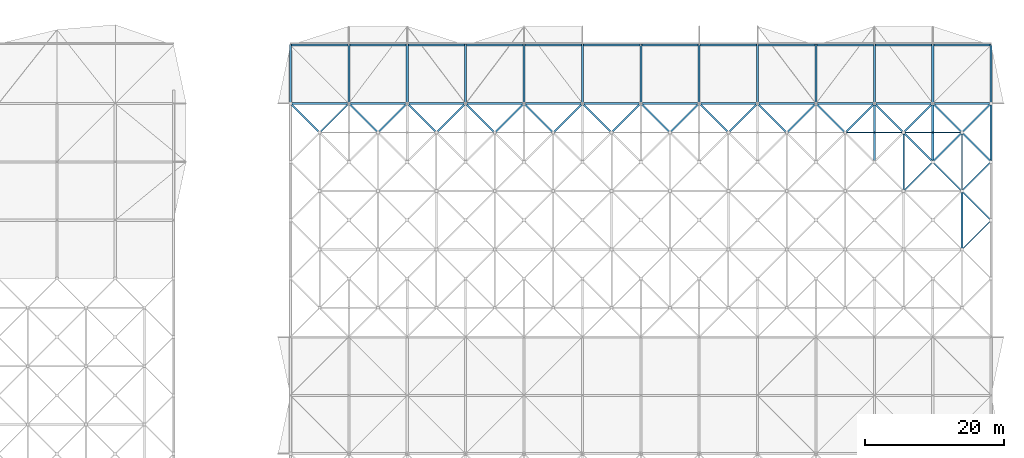
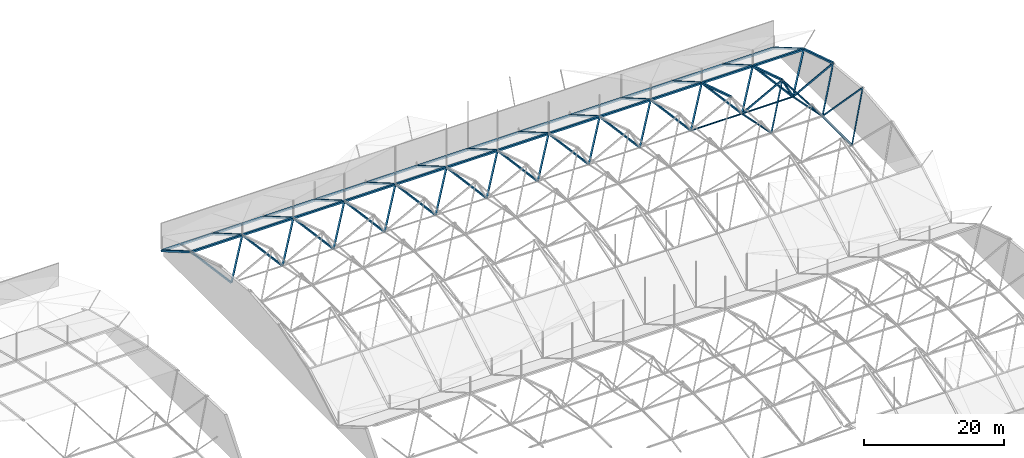
# One storey, part 16 of 111: 77 members.
"""IFC4 building model written with IfcOpenShell, lengths in metres."""

from ifc_helpers import new_model, si_unit, direction, frame, origin, origin_2d, place, context, subcontext, project, spatial, hollow_rectangle, extrude, material, material_profile, profile_set, type_object, element, save


model = new_model("IFC4")

# Units and contexts
model_context = context("Model", 3, precision=1e-05, world=origin(), true_north=direction((0.0, 1.0)))
body_context = subcontext(model_context, "Body", "Model", "MODEL_VIEW")
ifc_project = project(units=[si_unit("LENGTHUNIT", "METRE"), si_unit("AREAUNIT", "SQUARE_METRE"), si_unit("VOLUMEUNIT", "CUBIC_METRE"), si_unit("PLANEANGLEUNIT", "RADIAN"), si_unit("MASSUNIT", "GRAM", prefix="KILO")], contexts=[model_context])

# Site, building, storey
site_placement = place(None, origin())
site = spatial("IfcSite", under=ifc_project, at=site_placement, CompositionType="ELEMENT")
building_placement = place(site_placement, origin())
building = spatial("IfcBuilding", under=site, at=building_placement, Name="Rain Tree Exposition and Congress Centre", CompositionType="ELEMENT")
storey_placement = place(building_placement, frame((0.0, 0.0, 19.5)))
storey = spatial("IfcBuildingStorey", under=building, at=storey_placement, Name="RF", CompositionType="ELEMENT", Elevation=19.5)

# Members
ifc_material_1 = material(Name="Steel S355J2H", Category="steel")
ifc_material_profile_1 = material_profile(ifc_material_1, hollow_rectangle(XDim=0.175048828125, YDim=0.175048828125, WallThickness=0.006103515625, at=origin_2d()), Name="RHS 175x175x6")
ifc_profile_set_1 = profile_set([ifc_material_profile_1], Name="Steel S355J2H")
member_type_1 = type_object("IfcMemberType", Name="Steel brace member RHS 175x175x6", PredefinedType="BRACE", material=ifc_profile_set_1)
member_1_placement = place(storey_placement, frame((239.39990234375, 172.199951171875, 2.68896484375), z_axis=(0.494938039954, 0.494909271177, 0.714213658445), x_axis=(-0.70708622964, 0.707127332136, 0.0)))
element("IfcMember", 1, at=member_1_placement, inside=storey, type_object=member_type_1, Name="Diagonal 950", PredefinedType="BRACE", context=body_context, shape_type="SweptSolid", body=[
    extrude(hollow_rectangle(XDim=0.175048828125, YDim=0.175048828125, WallThickness=0.006103515625, at=origin_2d()), origin(), (0.0, 0.0, 1.0), 8.486328125),
])
ifc_material_2 = material(Name="Steel S355J2H", Category="steel")
ifc_material_profile_2 = material_profile(ifc_material_2, hollow_rectangle(XDim=0.199951171875, YDim=0.199951171875, WallThickness=0.009033203125, at=origin_2d()), Name="RHS 200x200x9")
ifc_profile_set_2 = profile_set([ifc_material_profile_2], Name="Steel S355J2H")
member_type_2 = type_object("IfcMemberType", Name="Steel brace member RHS 200x200x9", PredefinedType="BRACE", material=ifc_profile_set_2)
member_2_placement = place(storey_placement, frame((231.0, 180.60009765625, 2.68896484375), z_axis=(0.531497919506, 0.531497919506, 0.65956040142), x_axis=(-0.707106781187, 0.707106781187, 0.0)))
element("IfcMember", 2, at=member_2_placement, inside=storey, type_object=member_type_2, Name="Diagonal 1015", PredefinedType="BRACE", context=body_context, shape_type="SweptSolid", body=[
    extrude(hollow_rectangle(XDim=0.199951171875, YDim=0.199951171875, WallThickness=0.009033203125, at=origin_2d()), origin(), (0.0, 0.0, 1.0), 7.902099609375),
])
member_3_placement = place(storey_placement, frame((239.39990234375, 180.60009765625, 2.68896484375), z_axis=(0.494930993004, -0.494930993004, 0.71420348944), x_axis=(0.707106781187, 0.707106781187, 0.0)))
element("IfcMember", 3, at=member_3_placement, inside=storey, type_object=member_type_2, Name="Diagonal 1019", PredefinedType="BRACE", context=body_context, shape_type="SweptSolid", body=[
    extrude(hollow_rectangle(XDim=0.199951171875, YDim=0.199951171875, WallThickness=0.009033203125, at=origin_2d()), origin(), (0.0, 0.0, 1.0), 8.486328125),
])
member_4_placement = place(storey_placement, frame((239.39990234375, 180.60009765625, 2.68896484375), z_axis=(-0.531497919506, 0.531497919506, 0.65956040142), x_axis=(-0.707106781187, -0.707106781187, 0.0)))
element("IfcMember", 4, at=member_4_placement, inside=storey, type_object=member_type_2, Name="Diagonal 1020", PredefinedType="BRACE", context=body_context, shape_type="SweptSolid", body=[
    extrude(hollow_rectangle(XDim=0.199951171875, YDim=0.199951171875, WallThickness=0.009033203125, at=origin_2d()), origin(), (0.0, 0.0, 1.0), 7.902099609375),
])
member_5_placement = place(storey_placement, frame((239.39990234375, 180.60009765625, 2.68896484375), z_axis=(0.531520086899, 0.531489191753, 0.659549570747), x_axis=(-0.70708622964, 0.707127332136, 0.0)))
element("IfcMember", 5, at=member_5_placement, inside=storey, type_object=member_type_2, Name="Diagonal 1021", PredefinedType="BRACE", context=body_context, shape_type="SweptSolid", body=[
    extrude(hollow_rectangle(XDim=0.199951171875, YDim=0.199951171875, WallThickness=0.009033203125, at=origin_2d()), origin(), (0.0, 0.0, 1.0), 7.90234375),
])
ifc_material_3 = material(Name="Steel S355J2H", Category="steel")
ifc_material_profile_3 = material_profile(ifc_material_3, hollow_rectangle(XDim=0.25, YDim=0.25, WallThickness=0.006103515625, at=origin_2d()), Name="RHS 250x250x6")
ifc_profile_set_3 = profile_set([ifc_material_profile_3], Name="Steel S355J2H")
member_type_3 = type_object("IfcMemberType", Name="Steel brace member RHS 250x250x6", PredefinedType="BRACE", material=ifc_profile_set_3)
for number, where, z_axis, x_axis, name in (
    (6, (147.0, 189.0, 0.965087890625), (-0.573737145755, 0.573737145755, 0.584509516742), (-0.707106781187, -0.707106781187, 0.0), "Diagonal 1025"),
    (7, (147.0, 189.0, 0.965087890625), (0.573737145755, 0.573737145755, 0.584509516742), (-0.707106781187, 0.707106781187, 0.0), "Diagonal 1026"),
    (8, (155.39990234375, 189.0, 0.965087890625), (-0.573737145755, 0.573737145755, 0.584509516742), (-0.707106781187, -0.707106781187, 0.0), "Diagonal 1031"),
):
    element("IfcMember", number, at=place(storey_placement, frame(where, z_axis=z_axis, x_axis=x_axis)), inside=storey, type_object=member_type_3, Name=name, PredefinedType="BRACE", context=body_context, shape_type="SweptSolid", body=[
        extrude(hollow_rectangle(XDim=0.25, YDim=0.25, WallThickness=0.006103515625, at=origin_2d()), origin(), (0.0, 0.0, 1.0), 7.3203125),
    ])
member_6_placement = place(storey_placement, frame((155.39990234375, 189.0, 0.965087890625), z_axis=(0.573759517816, 0.573726167461, 0.584498332321), x_axis=(-0.70708622964, 0.707127332136, 0.0)))
element("IfcMember", 9, at=member_6_placement, inside=storey, type_object=member_type_3, Name="Diagonal 1032", PredefinedType="BRACE", context=body_context, shape_type="SweptSolid", body=[
    extrude(hollow_rectangle(XDim=0.25, YDim=0.25, WallThickness=0.006103515625, at=origin_2d()), origin(), (0.0, 0.0, 1.0), 7.320556640625),
])
for number, where, z_axis, x_axis, name in (
    (10, (163.800048828125, 189.0, 0.965087890625), (-0.573737145755, 0.573737145755, 0.584509516742), (-0.707106781187, -0.707106781187, 0.0), "Diagonal 1037"),
    (11, (163.800048828125, 189.0, 0.965087890625), (0.573737145755, 0.573737145755, 0.584509516742), (-0.707106781187, 0.707106781187, 0.0), "Diagonal 1038"),
    (12, (172.199951171875, 189.0, 0.965087890625), (-0.573737145755, 0.573737145755, 0.584509516742), (-0.707106781187, -0.707106781187, 0.0), "Diagonal 1043"),
    (13, (172.199951171875, 189.0, 0.965087890625), (0.573737145755, 0.573737145755, 0.584509516742), (-0.707106781187, 0.707106781187, 0.0), "Diagonal 1044"),
):
    element("IfcMember", number, at=place(storey_placement, frame(where, z_axis=z_axis, x_axis=x_axis)), inside=storey, type_object=member_type_3, Name=name, PredefinedType="BRACE", context=body_context, shape_type="SweptSolid", body=[
        extrude(hollow_rectangle(XDim=0.25, YDim=0.25, WallThickness=0.006103515625, at=origin_2d()), origin(), (0.0, 0.0, 1.0), 7.3203125),
    ])
member_7_placement = place(storey_placement, frame((180.60009765625, 189.0, 0.965087890625), z_axis=(-0.573759517816, 0.573726167461, 0.584498332321), x_axis=(-0.70708622964, -0.707127332136, 0.0)))
element("IfcMember", 14, at=member_7_placement, inside=storey, type_object=member_type_3, Name="Diagonal 1049", PredefinedType="BRACE", context=body_context, shape_type="SweptSolid", body=[
    extrude(hollow_rectangle(XDim=0.25, YDim=0.25, WallThickness=0.006103515625, at=origin_2d()), origin(), (0.0, 0.0, 1.0), 7.320556640625),
])
for number, where, z_axis, x_axis, name in (
    (15, (180.60009765625, 189.0, 0.965087890625), (0.573737145755, 0.573737145755, 0.584509516742), (-0.707106781187, 0.707106781187, 0.0), "Diagonal 1050"),
    (16, (189.0, 189.0, 0.965087890625), (-0.573737145755, 0.573737145755, 0.584509516742), (-0.707106781187, -0.707106781187, 0.0), "Diagonal 1055"),
    (17, (189.0, 189.0, 0.965087890625), (0.573737145755, 0.573737145755, 0.584509516742), (-0.707106781187, 0.707106781187, 0.0), "Diagonal 1056"),
    (18, (197.39990234375, 189.0, 0.965087890625), (-0.573737145755, 0.573737145755, 0.584509516742), (-0.707106781187, -0.707106781187, 0.0), "Diagonal 1061"),
):
    element("IfcMember", number, at=place(storey_placement, frame(where, z_axis=z_axis, x_axis=x_axis)), inside=storey, type_object=member_type_3, Name=name, PredefinedType="BRACE", context=body_context, shape_type="SweptSolid", body=[
        extrude(hollow_rectangle(XDim=0.25, YDim=0.25, WallThickness=0.006103515625, at=origin_2d()), origin(), (0.0, 0.0, 1.0), 7.3203125),
    ])
member_8_placement = place(storey_placement, frame((197.39990234375, 189.0, 0.965087890625), z_axis=(0.573759517816, 0.573726167461, 0.584498332321), x_axis=(-0.70708622964, 0.707127332136, 0.0)))
element("IfcMember", 19, at=member_8_placement, inside=storey, type_object=member_type_3, Name="Diagonal 1062", PredefinedType="BRACE", context=body_context, shape_type="SweptSolid", body=[
    extrude(hollow_rectangle(XDim=0.25, YDim=0.25, WallThickness=0.006103515625, at=origin_2d()), origin(), (0.0, 0.0, 1.0), 7.320556640625),
])
for number, where, z_axis, x_axis, name in (
    (20, (205.800048828125, 189.0, 0.965087890625), (-0.573737145755, 0.573737145755, 0.584509516742), (-0.707106781187, -0.707106781187, 0.0), "Diagonal 1067"),
    (21, (205.800048828125, 189.0, 0.965087890625), (0.573737145755, 0.573737145755, 0.584509516742), (-0.707106781187, 0.707106781187, 0.0), "Diagonal 1068"),
    (22, (214.199951171875, 189.0, 0.965087890625), (-0.573737145755, 0.573737145755, 0.584509516742), (-0.707106781187, -0.707106781187, 0.0), "Diagonal 1073"),
    (23, (214.199951171875, 189.0, 0.965087890625), (0.573737145755, 0.573737145755, 0.584509516742), (-0.707106781187, 0.707106781187, 0.0), "Diagonal 1074"),
):
    element("IfcMember", number, at=place(storey_placement, frame(where, z_axis=z_axis, x_axis=x_axis)), inside=storey, type_object=member_type_3, Name=name, PredefinedType="BRACE", context=body_context, shape_type="SweptSolid", body=[
        extrude(hollow_rectangle(XDim=0.25, YDim=0.25, WallThickness=0.006103515625, at=origin_2d()), origin(), (0.0, 0.0, 1.0), 7.3203125),
    ])
member_9_placement = place(storey_placement, frame((222.60009765625, 189.0, 0.965087890625), z_axis=(-0.573759517816, 0.573726167461, 0.584498332321), x_axis=(-0.70708622964, -0.707127332136, 0.0)))
element("IfcMember", 24, at=member_9_placement, inside=storey, type_object=member_type_3, Name="Diagonal 1079", PredefinedType="BRACE", context=body_context, shape_type="SweptSolid", body=[
    extrude(hollow_rectangle(XDim=0.25, YDim=0.25, WallThickness=0.006103515625, at=origin_2d()), origin(), (0.0, 0.0, 1.0), 7.320556640625),
])
member_10_placement = place(storey_placement, frame((222.60009765625, 189.0, 0.965087890625), z_axis=(0.573737145755, 0.573737145755, 0.584509516742), x_axis=(-0.707106781187, 0.707106781187, 0.0)))
element("IfcMember", 25, at=member_10_placement, inside=storey, type_object=member_type_3, Name="Diagonal 1080", PredefinedType="BRACE", context=body_context, shape_type="SweptSolid", body=[
    extrude(hollow_rectangle(XDim=0.25, YDim=0.25, WallThickness=0.006103515625, at=origin_2d()), origin(), (0.0, 0.0, 1.0), 7.3203125),
])
member_11_placement = place(storey_placement, frame((231.0, 189.0, 0.965087890625), z_axis=(0.459940759453, -0.459940759453, 0.759545255787), x_axis=(0.707106781187, 0.707106781187, 0.0)))
element("IfcMember", 26, at=member_11_placement, inside=storey, type_object=member_type_3, Name="Diagonal 1084", PredefinedType="BRACE", context=body_context, shape_type="SweptSolid", body=[
    extrude(hollow_rectangle(XDim=0.25, YDim=0.25, WallThickness=0.006103515625, at=origin_2d()), origin(), (0.0, 0.0, 1.0), 9.131591796875),
])
for number, where, z_axis, x_axis, name in (
    (27, (231.0, 189.0, 0.965087890625), (-0.573737145755, 0.573737145755, 0.584509516742), (-0.707106781187, -0.707106781187, 0.0), "Diagonal 1085"),
    (28, (231.0, 189.0, 0.965087890625), (0.573737145755, 0.573737145755, 0.584509516742), (-0.707106781187, 0.707106781187, 0.0), "Diagonal 1086"),
):
    element("IfcMember", number, at=place(storey_placement, frame(where, z_axis=z_axis, x_axis=x_axis)), inside=storey, type_object=member_type_3, Name=name, PredefinedType="BRACE", context=body_context, shape_type="SweptSolid", body=[
        extrude(hollow_rectangle(XDim=0.25, YDim=0.25, WallThickness=0.006103515625, at=origin_2d()), origin(), (0.0, 0.0, 1.0), 7.3203125),
    ])
for number, where, z_axis, x_axis, name in (
    (29, (239.39990234375, 189.0, 0.965087890625), (-0.459940759453, -0.459940759453, 0.759545255787), (0.707106781187, -0.707106781187, 0.0), "Diagonal 1089"),
    (30, (239.39990234375, 189.0, 0.965087890625), (0.459961839245, -0.459935103496, 0.75953591555), (0.70708622964, 0.707127332136, 0.0), "Diagonal 1090"),
):
    element("IfcMember", number, at=place(storey_placement, frame(where, z_axis=z_axis, x_axis=x_axis)), inside=storey, type_object=member_type_3, Name=name, PredefinedType="BRACE", context=body_context, shape_type="SweptSolid", body=[
        extrude(hollow_rectangle(XDim=0.25, YDim=0.25, WallThickness=0.006103515625, at=origin_2d()), origin(), (0.0, 0.0, 1.0), 9.131591796875),
    ])
member_12_placement = place(storey_placement, frame((239.39990234375, 189.0, 0.965087890625), z_axis=(-0.573737145755, 0.573737145755, 0.584509516742), x_axis=(-0.707106781187, -0.707106781187, 0.0)))
element("IfcMember", 31, at=member_12_placement, inside=storey, type_object=member_type_3, Name="Diagonal 1091", PredefinedType="BRACE", context=body_context, shape_type="SweptSolid", body=[
    extrude(hollow_rectangle(XDim=0.25, YDim=0.25, WallThickness=0.006103515625, at=origin_2d()), origin(), (0.0, 0.0, 1.0), 7.3203125),
])
member_13_placement = place(storey_placement, frame((239.39990234375, 189.0, 0.965087890625), z_axis=(0.573759517816, 0.573726167461, 0.584498332321), x_axis=(-0.70708622964, 0.707127332136, 0.0)))
element("IfcMember", 32, at=member_13_placement, inside=storey, type_object=member_type_3, Name="Diagonal 1092", PredefinedType="BRACE", context=body_context, shape_type="SweptSolid", body=[
    extrude(hollow_rectangle(XDim=0.25, YDim=0.25, WallThickness=0.006103515625, at=origin_2d()), origin(), (0.0, 0.0, 1.0), 7.320556640625),
])
ifc_material_4 = material(Name="Steel S355J2H", Category="steel")
ifc_material_profile_4 = material_profile(ifc_material_4, hollow_rectangle(XDim=0.175048828125, YDim=0.175048828125, WallThickness=0.006103515625, at=origin_2d()), Name="RHS 175x175x6")
ifc_profile_set_4 = profile_set([ifc_material_profile_4], Name="Steel S355J2H")
member_type_4 = type_object("IfcMemberType", Name="Steel chord member RHS 175x175x6", PredefinedType="CHORD", material=ifc_profile_set_4)
for number, where, z_axis, x_axis, name in (
    (33, (222.60009765625, 189.0, 0.965087890625), (1.0, 0.0, 0.0), (0.0, 1.0, 0.0), "Bottom chord 1081"),
    (34, (231.0, 189.0, 0.965087890625), (1.0, 0.0, 0.0), (0.0, 1.0, 0.0), "Bottom chord 1087"),
):
    element("IfcMember", number, at=place(storey_placement, frame(where, z_axis=z_axis, x_axis=x_axis)), inside=storey, type_object=member_type_4, Name=name, PredefinedType="CHORD", context=body_context, shape_type="SweptSolid", body=[
        extrude(hollow_rectangle(XDim=0.175048828125, YDim=0.175048828125, WallThickness=0.006103515625, at=origin_2d()), origin(), (0.0, 0.0, 1.0), 8.39990234375),
    ])
ifc_material_5 = material(Name="Steel S355J2H", Category="steel")
ifc_material_profile_5 = material_profile(ifc_material_5, hollow_rectangle(XDim=0.199951171875, YDim=0.199951171875, WallThickness=0.009033203125, at=origin_2d()), Name="RHS 200x200x9")
ifc_profile_set_5 = profile_set([ifc_material_profile_5], Name="Steel S355J2H")
member_type_5 = type_object("IfcMemberType", Name="Steel chord member RHS 200x200x9", PredefinedType="CHORD", material=ifc_profile_set_5)
for number, where, z_axis, x_axis, name in (
    (35, (231.0, 180.60009765625, 2.68896484375), (0.0, 0.979583871149, -0.20103591566), (-1.0, 0.0, 0.0), "Bottom chord 1017"),
    (36, (239.39990234375, 180.60009765625, 2.68896484375), (0.0, 0.979583871149, -0.20103591566), (-1.0, 0.0, 0.0), "Bottom chord 1022"),
):
    element("IfcMember", number, at=place(storey_placement, frame(where, z_axis=z_axis, x_axis=x_axis)), inside=storey, type_object=member_type_5, Name=name, PredefinedType="CHORD", context=body_context, shape_type="SweptSolid", body=[
        extrude(hollow_rectangle(XDim=0.199951171875, YDim=0.199951171875, WallThickness=0.009033203125, at=origin_2d()), origin(), (0.0, 0.0, 1.0), 8.574951171875),
    ])
ifc_material_6 = material(Name="Steel S355J2H", Category="steel")
ifc_material_profile_6 = material_profile(ifc_material_6, hollow_rectangle(XDim=0.25, YDim=0.25, WallThickness=0.006103515625, at=origin_2d()), Name="RHS 250x250x6")
ifc_profile_set_6 = profile_set([ifc_material_profile_6], Name="Steel S355J2H")
member_type_6 = type_object("IfcMemberType", Name="Steel chord member RHS 250x250x6", PredefinedType="CHORD", material=ifc_profile_set_6)
member_14_placement = place(storey_placement, frame((239.39990234375, 172.199951171875, 2.68896484375), z_axis=(0.0, 1.0, 0.0), x_axis=(-1.0, 0.0, 0.0)))
element("IfcMember", 37, at=member_14_placement, inside=storey, type_object=member_type_6, Name="Bottom chord 951", PredefinedType="CHORD", context=body_context, shape_type="SweptSolid", body=[
    extrude(hollow_rectangle(XDim=0.25, YDim=0.25, WallThickness=0.006103515625, at=origin_2d()), origin(), (0.0, 0.0, 1.0), 8.400146484375),
])
ifc_material_7 = material(Name="Steel S355J2H", Category="steel")
ifc_material_profile_7 = material_profile(ifc_material_7, hollow_rectangle(XDim=0.300048828125, YDim=0.300048828125, WallThickness=0.009033203125, at=origin_2d()), Name="RHS 300x300x9")
ifc_profile_set_7 = profile_set([ifc_material_profile_7], Name="Steel S355J2H")
member_type_7 = type_object("IfcMemberType", Name="Steel chord member RHS 300x300x9", PredefinedType="CHORD", material=ifc_profile_set_7)
member_15_placement = place(storey_placement, frame((142.800048828125, 193.199951171875, 5.243896484375), z_axis=(1.0, 0.0, 0.0), x_axis=(0.0, 1.0, 0.0)))
element("IfcMember", 38, at=member_15_placement, inside=storey, type_object=member_type_7, Name="Top chord 133", PredefinedType="CHORD", context=body_context, shape_type="SweptSolid", body=[
    extrude(hollow_rectangle(XDim=0.300048828125, YDim=0.300048828125, WallThickness=0.009033203125, at=origin_2d()), origin(), (0.0, 0.0, 1.0), 8.39990234375),
])
member_16_placement = place(storey_placement, frame((151.199951171875, 193.199951171875, 5.243896484375), z_axis=(1.0, 0.0, 0.0), x_axis=(0.0, 1.0, 0.0)))
element("IfcMember", 39, at=member_16_placement, inside=storey, type_object=member_type_7, Name="Top chord 134", PredefinedType="CHORD", context=body_context, shape_type="SweptSolid", body=[
    extrude(hollow_rectangle(XDim=0.300048828125, YDim=0.300048828125, WallThickness=0.009033203125, at=origin_2d()), origin(), (0.0, 0.0, 1.0), 8.400146484375),
])
for number, where, z_axis, x_axis, name in (
    (40, (159.60009765625, 193.199951171875, 5.243896484375), (1.0, 0.0, 0.0), (0.0, 1.0, 0.0), "Top chord 135"),
    (41, (168.0, 193.199951171875, 5.243896484375), (1.0, 0.0, 0.0), (0.0, 1.0, 0.0), "Top chord 136"),
):
    element("IfcMember", number, at=place(storey_placement, frame(where, z_axis=z_axis, x_axis=x_axis)), inside=storey, type_object=member_type_7, Name=name, PredefinedType="CHORD", context=body_context, shape_type="SweptSolid", body=[
        extrude(hollow_rectangle(XDim=0.300048828125, YDim=0.300048828125, WallThickness=0.009033203125, at=origin_2d()), origin(), (0.0, 0.0, 1.0), 8.39990234375),
    ])
member_17_placement = place(storey_placement, frame((176.39990234375, 193.199951171875, 5.243896484375), z_axis=(1.0, 0.0, 0.0), x_axis=(0.0, 1.0, 0.0)))
element("IfcMember", 42, at=member_17_placement, inside=storey, type_object=member_type_7, Name="Top chord 137", PredefinedType="CHORD", context=body_context, shape_type="SweptSolid", body=[
    extrude(hollow_rectangle(XDim=0.300048828125, YDim=0.300048828125, WallThickness=0.009033203125, at=origin_2d()), origin(), (0.0, 0.0, 1.0), 8.400146484375),
])
member_18_placement = place(storey_placement, frame((184.800048828125, 193.199951171875, 5.243896484375), z_axis=(1.0, 0.0, 0.0), x_axis=(0.0, 1.0, 0.0)))
element("IfcMember", 43, at=member_18_placement, inside=storey, type_object=member_type_7, Name="Top chord 138", PredefinedType="CHORD", context=body_context, shape_type="SweptSolid", body=[
    extrude(hollow_rectangle(XDim=0.300048828125, YDim=0.300048828125, WallThickness=0.009033203125, at=origin_2d()), origin(), (0.0, 0.0, 1.0), 8.39990234375),
])
member_19_placement = place(storey_placement, frame((193.199951171875, 193.199951171875, 5.243896484375), z_axis=(1.0, 0.0, 0.0), x_axis=(0.0, 1.0, 0.0)))
element("IfcMember", 44, at=member_19_placement, inside=storey, type_object=member_type_7, Name="Top chord 139", PredefinedType="CHORD", context=body_context, shape_type="SweptSolid", body=[
    extrude(hollow_rectangle(XDim=0.300048828125, YDim=0.300048828125, WallThickness=0.009033203125, at=origin_2d()), origin(), (0.0, 0.0, 1.0), 8.400146484375),
])
for number, where, z_axis, x_axis, name in (
    (45, (201.60009765625, 193.199951171875, 5.243896484375), (1.0, 0.0, 0.0), (0.0, 1.0, 0.0), "Top chord 140"),
    (46, (210.0, 193.199951171875, 5.243896484375), (1.0, 0.0, 0.0), (0.0, 1.0, 0.0), "Top chord 141"),
):
    element("IfcMember", number, at=place(storey_placement, frame(where, z_axis=z_axis, x_axis=x_axis)), inside=storey, type_object=member_type_7, Name=name, PredefinedType="CHORD", context=body_context, shape_type="SweptSolid", body=[
        extrude(hollow_rectangle(XDim=0.300048828125, YDim=0.300048828125, WallThickness=0.009033203125, at=origin_2d()), origin(), (0.0, 0.0, 1.0), 8.39990234375),
    ])
member_20_placement = place(storey_placement, frame((218.39990234375, 193.199951171875, 5.243896484375), z_axis=(1.0, 0.0, 0.0), x_axis=(0.0, 1.0, 0.0)))
element("IfcMember", 47, at=member_20_placement, inside=storey, type_object=member_type_7, Name="Top chord 142", PredefinedType="CHORD", context=body_context, shape_type="SweptSolid", body=[
    extrude(hollow_rectangle(XDim=0.300048828125, YDim=0.300048828125, WallThickness=0.009033203125, at=origin_2d()), origin(), (0.0, 0.0, 1.0), 8.400146484375),
])
member_21_placement = place(storey_placement, frame((226.800048828125, 193.199951171875, 5.243896484375), z_axis=(1.0, 0.0, 0.0), x_axis=(0.0, 1.0, 0.0)))
element("IfcMember", 48, at=member_21_placement, inside=storey, type_object=member_type_7, Name="Top chord 143", PredefinedType="CHORD", context=body_context, shape_type="SweptSolid", body=[
    extrude(hollow_rectangle(XDim=0.300048828125, YDim=0.300048828125, WallThickness=0.009033203125, at=origin_2d()), origin(), (0.0, 0.0, 1.0), 8.39990234375),
])
member_22_placement = place(storey_placement, frame((235.199951171875, 193.199951171875, 5.243896484375), z_axis=(1.0, 0.0, 0.0), x_axis=(0.0, 1.0, 0.0)))
element("IfcMember", 49, at=member_22_placement, inside=storey, type_object=member_type_7, Name="Top chord 144", PredefinedType="CHORD", context=body_context, shape_type="SweptSolid", body=[
    extrude(hollow_rectangle(XDim=0.300048828125, YDim=0.300048828125, WallThickness=0.009033203125, at=origin_2d()), origin(), (0.0, 0.0, 1.0), 8.400146484375),
])
member_23_placement = place(storey_placement, frame((142.800048828125, 201.60009765625, 0.35009765625), z_axis=(1.0, 0.0, 0.0), x_axis=(0.0, 1.0, 0.0)))
element("IfcMember", 50, at=member_23_placement, inside=storey, type_object=member_type_7, Name="Top chord 145", PredefinedType="CHORD", context=body_context, shape_type="SweptSolid", body=[
    extrude(hollow_rectangle(XDim=0.300048828125, YDim=0.300048828125, WallThickness=0.009033203125, at=origin_2d()), origin(), (0.0, 0.0, 1.0), 8.39990234375),
])
member_24_placement = place(storey_placement, frame((151.199951171875, 201.60009765625, 0.35009765625), z_axis=(1.0, 0.0, 0.0), x_axis=(0.0, 1.0, 0.0)))
element("IfcMember", 51, at=member_24_placement, inside=storey, type_object=member_type_7, Name="Top chord 146", PredefinedType="CHORD", context=body_context, shape_type="SweptSolid", body=[
    extrude(hollow_rectangle(XDim=0.300048828125, YDim=0.300048828125, WallThickness=0.009033203125, at=origin_2d()), origin(), (0.0, 0.0, 1.0), 8.400146484375),
])
for number, where, z_axis, x_axis, name in (
    (52, (159.60009765625, 201.60009765625, 0.35009765625), (1.0, 0.0, 0.0), (0.0, 1.0, 0.0), "Top chord 147"),
    (53, (168.0, 201.60009765625, 0.35009765625), (1.0, 0.0, 0.0), (0.0, 1.0, 0.0), "Top chord 148"),
):
    element("IfcMember", number, at=place(storey_placement, frame(where, z_axis=z_axis, x_axis=x_axis)), inside=storey, type_object=member_type_7, Name=name, PredefinedType="CHORD", context=body_context, shape_type="SweptSolid", body=[
        extrude(hollow_rectangle(XDim=0.300048828125, YDim=0.300048828125, WallThickness=0.009033203125, at=origin_2d()), origin(), (0.0, 0.0, 1.0), 8.39990234375),
    ])
member_25_placement = place(storey_placement, frame((176.39990234375, 201.60009765625, 0.35009765625), z_axis=(1.0, 0.0, 0.0), x_axis=(0.0, 1.0, 0.0)))
element("IfcMember", 54, at=member_25_placement, inside=storey, type_object=member_type_7, Name="Top chord 149", PredefinedType="CHORD", context=body_context, shape_type="SweptSolid", body=[
    extrude(hollow_rectangle(XDim=0.300048828125, YDim=0.300048828125, WallThickness=0.009033203125, at=origin_2d()), origin(), (0.0, 0.0, 1.0), 8.400146484375),
])
member_26_placement = place(storey_placement, frame((184.800048828125, 201.60009765625, 0.35009765625), z_axis=(1.0, 0.0, 0.0), x_axis=(0.0, 1.0, 0.0)))
element("IfcMember", 55, at=member_26_placement, inside=storey, type_object=member_type_7, Name="Top chord 150", PredefinedType="CHORD", context=body_context, shape_type="SweptSolid", body=[
    extrude(hollow_rectangle(XDim=0.300048828125, YDim=0.300048828125, WallThickness=0.009033203125, at=origin_2d()), origin(), (0.0, 0.0, 1.0), 8.39990234375),
])
member_27_placement = place(storey_placement, frame((193.199951171875, 201.60009765625, 0.35009765625), z_axis=(1.0, 0.0, 0.0), x_axis=(0.0, 1.0, 0.0)))
element("IfcMember", 56, at=member_27_placement, inside=storey, type_object=member_type_7, Name="Top chord 151", PredefinedType="CHORD", context=body_context, shape_type="SweptSolid", body=[
    extrude(hollow_rectangle(XDim=0.300048828125, YDim=0.300048828125, WallThickness=0.009033203125, at=origin_2d()), origin(), (0.0, 0.0, 1.0), 8.400146484375),
])
for number, where, z_axis, x_axis, name in (
    (57, (201.60009765625, 201.60009765625, 0.35009765625), (1.0, 0.0, 0.0), (0.0, 1.0, 0.0), "Top chord 152"),
    (58, (210.0, 201.60009765625, 0.35009765625), (1.0, 0.0, 0.0), (0.0, 1.0, 0.0), "Top chord 153"),
):
    element("IfcMember", number, at=place(storey_placement, frame(where, z_axis=z_axis, x_axis=x_axis)), inside=storey, type_object=member_type_7, Name=name, PredefinedType="CHORD", context=body_context, shape_type="SweptSolid", body=[
        extrude(hollow_rectangle(XDim=0.300048828125, YDim=0.300048828125, WallThickness=0.009033203125, at=origin_2d()), origin(), (0.0, 0.0, 1.0), 8.39990234375),
    ])
member_28_placement = place(storey_placement, frame((218.39990234375, 201.60009765625, 0.35009765625), z_axis=(1.0, 0.0, 0.0), x_axis=(0.0, 1.0, 0.0)))
element("IfcMember", 59, at=member_28_placement, inside=storey, type_object=member_type_7, Name="Top chord 154", PredefinedType="CHORD", context=body_context, shape_type="SweptSolid", body=[
    extrude(hollow_rectangle(XDim=0.300048828125, YDim=0.300048828125, WallThickness=0.009033203125, at=origin_2d()), origin(), (0.0, 0.0, 1.0), 8.400146484375),
])
member_29_placement = place(storey_placement, frame((226.800048828125, 201.60009765625, 0.35009765625), z_axis=(1.0, 0.0, 0.0), x_axis=(0.0, 1.0, 0.0)))
element("IfcMember", 60, at=member_29_placement, inside=storey, type_object=member_type_7, Name="Top chord 155", PredefinedType="CHORD", context=body_context, shape_type="SweptSolid", body=[
    extrude(hollow_rectangle(XDim=0.300048828125, YDim=0.300048828125, WallThickness=0.009033203125, at=origin_2d()), origin(), (0.0, 0.0, 1.0), 8.39990234375),
])
member_30_placement = place(storey_placement, frame((235.199951171875, 201.60009765625, 0.35009765625), z_axis=(1.0, 0.0, 0.0), x_axis=(0.0, 1.0, 0.0)))
element("IfcMember", 61, at=member_30_placement, inside=storey, type_object=member_type_7, Name="Top chord 156", PredefinedType="CHORD", context=body_context, shape_type="SweptSolid", body=[
    extrude(hollow_rectangle(XDim=0.300048828125, YDim=0.300048828125, WallThickness=0.009033203125, at=origin_2d()), origin(), (0.0, 0.0, 1.0), 8.400146484375),
])
for number, where, z_axis, x_axis, name in (
    (62, (142.800048828125, 193.199951171875, 5.243896484375), (0.0, 0.864060213011, -0.503388466585), (-1.0, 0.0, 0.0), "Top chord 168"),
    (63, (151.199951171875, 193.199951171875, 5.243896484375), (0.0, 0.864060213011, -0.503388466585), (-1.0, 0.0, 0.0), "Top chord 180"),
    (64, (159.60009765625, 193.199951171875, 5.243896484375), (0.0, 0.864060213011, -0.503388466585), (-1.0, 0.0, 0.0), "Top chord 192"),
    (65, (168.0, 193.199951171875, 5.243896484375), (0.0, 0.864060213011, -0.503388466585), (-1.0, 0.0, 0.0), "Top chord 204"),
    (66, (176.39990234375, 193.199951171875, 5.243896484375), (0.0, 0.864060213011, -0.503388466585), (-1.0, 0.0, 0.0), "Top chord 216"),
    (67, (184.800048828125, 193.199951171875, 5.243896484375), (0.0, 0.864060213011, -0.503388466585), (-1.0, 0.0, 0.0), "Top chord 228"),
    (68, (193.199951171875, 193.199951171875, 5.243896484375), (0.0, 0.864060213011, -0.503388466585), (-1.0, 0.0, 0.0), "Top chord 240"),
    (69, (201.60009765625, 193.199951171875, 5.243896484375), (0.0, 0.864060213011, -0.503388466585), (-1.0, 0.0, 0.0), "Top chord 252"),
    (70, (210.0, 193.199951171875, 5.243896484375), (0.0, 0.864060213011, -0.503388466585), (-1.0, 0.0, 0.0), "Top chord 264"),
    (71, (218.39990234375, 193.199951171875, 5.243896484375), (0.0, 0.864060213011, -0.503388466585), (-1.0, 0.0, 0.0), "Top chord 276"),
):
    element("IfcMember", number, at=place(storey_placement, frame(where, z_axis=z_axis, x_axis=x_axis)), inside=storey, type_object=member_type_7, Name=name, PredefinedType="CHORD", context=body_context, shape_type="SweptSolid", body=[
        extrude(hollow_rectangle(XDim=0.300048828125, YDim=0.300048828125, WallThickness=0.009033203125, at=origin_2d()), origin(), (0.0, 0.0, 1.0), 9.7216796875),
    ])
member_31_placement = place(storey_placement, frame((226.800048828125, 184.800048828125, 7.90087890625), z_axis=(0.0, 0.953439742772, -0.301583581951), x_axis=(-1.0, 0.0, 0.0)))
element("IfcMember", 72, at=member_31_placement, inside=storey, type_object=member_type_7, Name="Top chord 287", PredefinedType="CHORD", context=body_context, shape_type="SweptSolid", body=[
    extrude(hollow_rectangle(XDim=0.300048828125, YDim=0.300048828125, WallThickness=0.009033203125, at=origin_2d()), origin(), (0.0, 0.0, 1.0), 8.81005859375),
])
member_32_placement = place(storey_placement, frame((226.800048828125, 193.199951171875, 5.243896484375), z_axis=(0.0, 0.864060213011, -0.503388466585), x_axis=(-1.0, 0.0, 0.0)))
element("IfcMember", 73, at=member_32_placement, inside=storey, type_object=member_type_7, Name="Top chord 288", PredefinedType="CHORD", context=body_context, shape_type="SweptSolid", body=[
    extrude(hollow_rectangle(XDim=0.300048828125, YDim=0.300048828125, WallThickness=0.009033203125, at=origin_2d()), origin(), (0.0, 0.0, 1.0), 9.7216796875),
])
member_33_placement = place(storey_placement, frame((235.199951171875, 184.800048828125, 7.90087890625), z_axis=(0.0, 0.953439742772, -0.301583581951), x_axis=(-1.0, 0.0, 0.0)))
element("IfcMember", 74, at=member_33_placement, inside=storey, type_object=member_type_7, Name="Top chord 299", PredefinedType="CHORD", context=body_context, shape_type="SweptSolid", body=[
    extrude(hollow_rectangle(XDim=0.300048828125, YDim=0.300048828125, WallThickness=0.009033203125, at=origin_2d()), origin(), (0.0, 0.0, 1.0), 8.81005859375),
])
member_34_placement = place(storey_placement, frame((235.199951171875, 193.199951171875, 5.243896484375), z_axis=(0.0, 0.864060213011, -0.503388466585), x_axis=(-1.0, 0.0, 0.0)))
element("IfcMember", 75, at=member_34_placement, inside=storey, type_object=member_type_7, Name="Top chord 300", PredefinedType="CHORD", context=body_context, shape_type="SweptSolid", body=[
    extrude(hollow_rectangle(XDim=0.300048828125, YDim=0.300048828125, WallThickness=0.009033203125, at=origin_2d()), origin(), (0.0, 0.0, 1.0), 9.7216796875),
])
member_35_placement = place(storey_placement, frame((243.60009765625, 184.800048828125, 7.90087890625), z_axis=(0.0, 0.953439742772, -0.301583581951), x_axis=(-1.0, 0.0, 0.0)))
element("IfcMember", 76, at=member_35_placement, inside=storey, type_object=member_type_7, Name="Top chord 311", PredefinedType="CHORD", context=body_context, shape_type="SweptSolid", body=[
    extrude(hollow_rectangle(XDim=0.300048828125, YDim=0.300048828125, WallThickness=0.009033203125, at=origin_2d()), origin(), (0.0, 0.0, 1.0), 8.81005859375),
])
member_36_placement = place(storey_placement, frame((243.60009765625, 193.199951171875, 5.243896484375), z_axis=(0.0, 0.864060213011, -0.503388466585), x_axis=(-1.0, 0.0, 0.0)))
element("IfcMember", 77, at=member_36_placement, inside=storey, type_object=member_type_7, Name="Top chord 312", PredefinedType="CHORD", context=body_context, shape_type="SweptSolid", body=[
    extrude(hollow_rectangle(XDim=0.300048828125, YDim=0.300048828125, WallThickness=0.009033203125, at=origin_2d()), origin(), (0.0, 0.0, 1.0), 9.7216796875),
])

save(model, "model.ifc")
